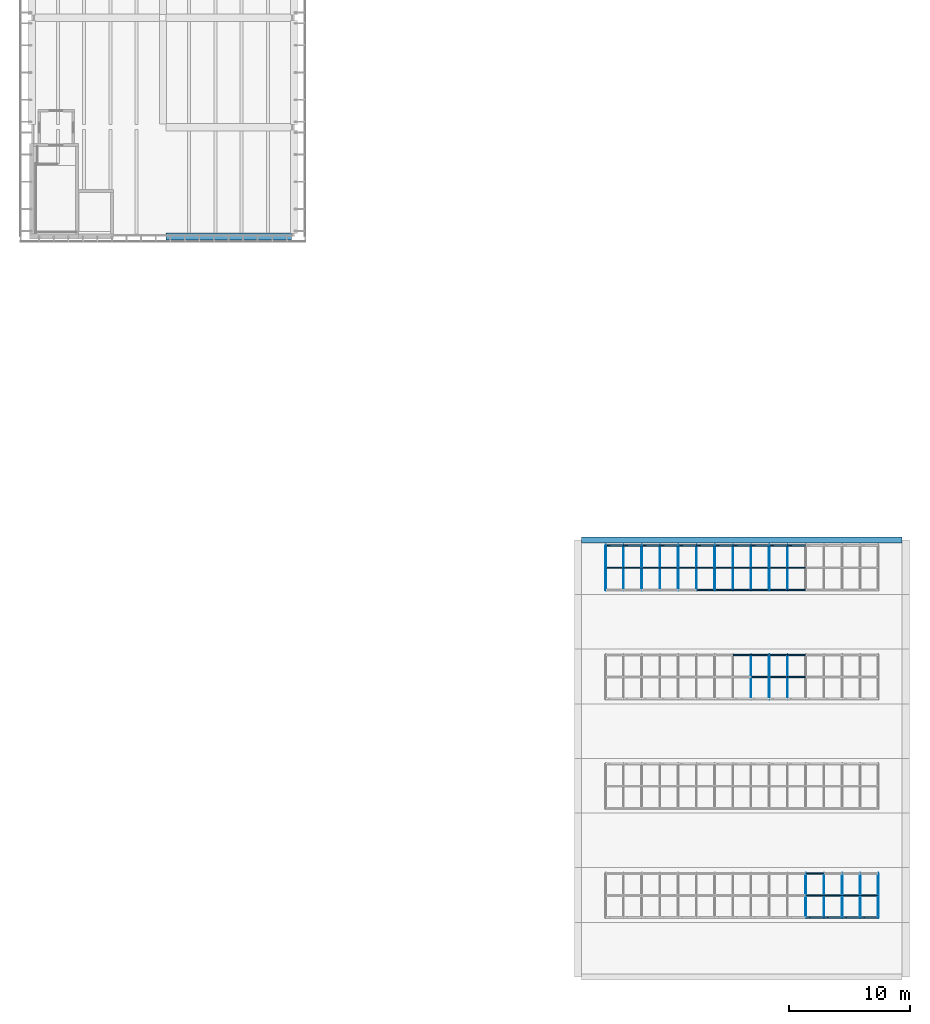
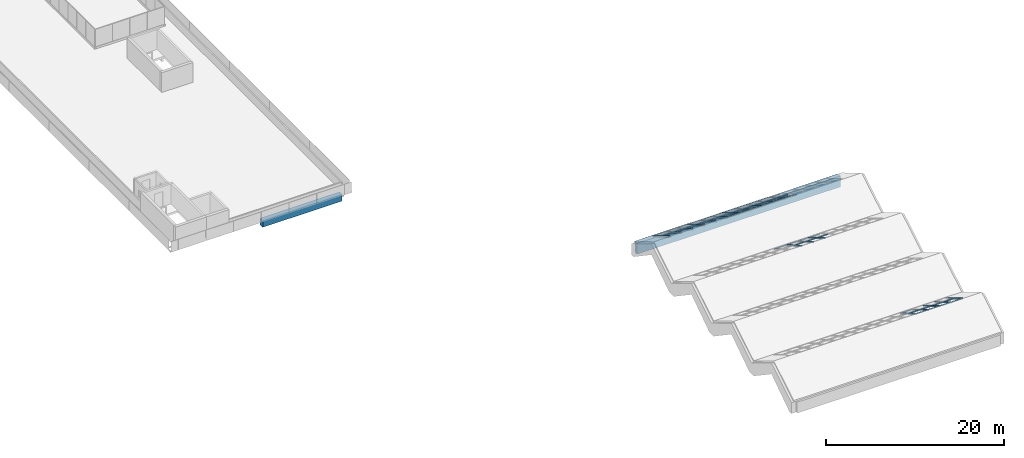
# One storey, part 4 of 29: 63 members, 2 beams, 3 elements without a shape of their own.
"""IFC4 building model written with IfcOpenShell, lengths in metres."""

from ifc_helpers import new_model, si_unit, direction, frame, origin, origin_2d, place, context, subcontext, project, spatial, rectangle, extrude, material, material_profile, profile_set, type_object, element, aggregate, save


model = new_model("IFC4")

# Units and contexts
model_context = context("Model", 3, precision=1e-05, world=origin(), true_north=direction((0.0, 1.0)))
body_context = subcontext(model_context, "Body", "Model", "MODEL_VIEW")
ifc_project = project(units=[si_unit("LENGTHUNIT", "METRE"), si_unit("AREAUNIT", "SQUARE_METRE"), si_unit("VOLUMEUNIT", "CUBIC_METRE"), si_unit("PLANEANGLEUNIT", "RADIAN"), si_unit("MASSUNIT", "GRAM", prefix="KILO")], contexts=[model_context])

# Site, building, storey
site_placement = place(None, origin())
site = spatial("IfcSite", under=ifc_project, at=site_placement, CompositionType="ELEMENT")
building_placement = place(site_placement, origin())
building = spatial("IfcBuilding", under=site, at=building_placement, Name="Merrow Basin Faculty of Sciences", CompositionType="ELEMENT")
storey_placement = place(building_placement, frame((0.0, 0.0, 22.5)))
storey = spatial("IfcBuildingStorey", under=building, at=storey_placement, Name="L05", CompositionType="ELEMENT", Elevation=22.5)

# Curtain wall, members
ifc_material_1 = material(Name="Aluminium alloy 6063", Category="aluminium")
curtain_wall_type = type_object("IfcCurtainWallType", Name="Inclined curtain wall 160", PredefinedType="NOTDEFINED", material=ifc_material_1)
curtain_wall_1_placement = place(storey_placement, origin())
curtain_wall_1 = element("IfcCurtainWall", 1, at=curtain_wall_1_placement, inside=storey, type_object=curtain_wall_type, Name="North-light glazing 1", PredefinedType="NOTDEFINED")
ifc_material_2 = material(Name="Aluminium alloy 6063", Category="aluminium")
ifc_material_profile_1 = material_profile(ifc_material_2, rectangle(XDim=0.06005859375, YDim=0.159912109375, at=origin_2d()))
ifc_profile_set_1 = profile_set([ifc_material_profile_1], Name="Aluminium alloy 6063")
member_type_1 = type_object("IfcMemberType", Name="Aluminium slot mullion 60x160", PredefinedType="MULLION", material=ifc_profile_set_1)
member_1_placement = place(storey_placement, frame((63.75, 4.85888671875, 2.39111328125), z_axis=(0.0, 0.857482941352, -0.514512395662), x_axis=(-1.0, 0.0, 0.0)))
member_1 = element("IfcMember", 2, at=member_1_placement, type_object=member_type_1, Name="CW7 mullion 12", PredefinedType="MULLION", context=body_context, shape_type="SweptSolid", body=[
    extrude(rectangle(XDim=0.06005859375, YDim=0.159912109375, at=origin_2d()), origin(), (0.0, 0.0, 1.0), 4.315185546875),
])
member_2_placement = place(storey_placement, frame((65.25, 4.85888671875, 2.39111328125), z_axis=(0.0, 0.857482941352, -0.514512395662), x_axis=(-1.0, 0.0, 0.0)))
member_2 = element("IfcMember", 3, at=member_2_placement, type_object=member_type_1, Name="CW7 mullion 13", PredefinedType="MULLION", context=body_context, shape_type="SweptSolid", body=[
    extrude(rectangle(XDim=0.06005859375, YDim=0.159912109375, at=origin_2d()), origin(), (0.0, 0.0, 1.0), 4.315185546875),
])
member_3_placement = place(storey_placement, frame((66.75, 4.85888671875, 2.39111328125), z_axis=(0.0, 0.857482941352, -0.514512395662), x_axis=(-1.0, 0.0, 0.0)))
member_3 = element("IfcMember", 4, at=member_3_placement, type_object=member_type_1, Name="CW7 mullion 14", PredefinedType="MULLION", context=body_context, shape_type="SweptSolid", body=[
    extrude(rectangle(XDim=0.06005859375, YDim=0.159912109375, at=origin_2d()), origin(), (0.0, 0.0, 1.0), 4.315185546875),
])
member_4_placement = place(storey_placement, frame((68.25, 4.85888671875, 2.39111328125), z_axis=(0.0, 0.857482941352, -0.514512395662), x_axis=(-1.0, 0.0, 0.0)))
member_4 = element("IfcMember", 5, at=member_4_placement, type_object=member_type_1, Name="CW7 mullion 15", PredefinedType="MULLION", context=body_context, shape_type="SweptSolid", body=[
    extrude(rectangle(XDim=0.06005859375, YDim=0.159912109375, at=origin_2d()), origin(), (0.0, 0.0, 1.0), 4.315185546875),
])
member_5_placement = place(storey_placement, frame((69.719970703125, 4.85888671875, 2.39111328125), z_axis=(0.0, 0.857482941352, -0.514512395662), x_axis=(-1.0, 0.0, 0.0)))
member_5 = element("IfcMember", 6, at=member_5_placement, type_object=member_type_1, Name="CW7 mullion 16", PredefinedType="MULLION", context=body_context, shape_type="SweptSolid", body=[
    extrude(rectangle(XDim=0.06005859375, YDim=0.159912109375, at=origin_2d()), origin(), (0.0, 0.0, 1.0), 4.315185546875),
])

curtain_wall_2_placement = place(storey_placement, origin())
curtain_wall_2 = element("IfcCurtainWall", 7, at=curtain_wall_2_placement, inside=storey, type_object=curtain_wall_type, Name="North-light glazing 5", PredefinedType="NOTDEFINED")
member_6_placement = place(storey_placement, frame((59.25, 22.85888671875, 2.39111328125), z_axis=(0.0, 0.857482941352, -0.514512395662), x_axis=(-1.0, 0.0, 0.0)))
member_6 = element("IfcMember", 8, at=member_6_placement, type_object=member_type_1, Name="CW7 mullion 9", PredefinedType="MULLION", context=body_context, shape_type="SweptSolid", body=[
    extrude(rectangle(XDim=0.06005859375, YDim=0.159912109375, at=origin_2d()), origin(), (0.0, 0.0, 1.0), 4.315185546875),
])
member_7_placement = place(storey_placement, frame((60.75, 22.85888671875, 2.39111328125), z_axis=(0.0, 0.857482941352, -0.514512395662), x_axis=(-1.0, 0.0, 0.0)))
member_7 = element("IfcMember", 9, at=member_7_placement, type_object=member_type_1, Name="CW7 mullion 10", PredefinedType="MULLION", context=body_context, shape_type="SweptSolid", body=[
    extrude(rectangle(XDim=0.06005859375, YDim=0.159912109375, at=origin_2d()), origin(), (0.0, 0.0, 1.0), 4.315185546875),
])
member_8_placement = place(storey_placement, frame((62.25, 22.85888671875, 2.39111328125), z_axis=(0.0, 0.857482941352, -0.514512395662), x_axis=(-1.0, 0.0, 0.0)))
member_8 = element("IfcMember", 10, at=member_8_placement, type_object=member_type_1, Name="CW7 mullion 11", PredefinedType="MULLION", context=body_context, shape_type="SweptSolid", body=[
    extrude(rectangle(XDim=0.06005859375, YDim=0.159912109375, at=origin_2d()), origin(), (0.0, 0.0, 1.0), 4.315185546875),
])

curtain_wall_3_placement = place(storey_placement, origin())
curtain_wall_3 = element("IfcCurtainWall", 11, at=curtain_wall_3_placement, inside=storey, type_object=curtain_wall_type, Name="North-light glazing 7", PredefinedType="NOTDEFINED")
member_9_placement = place(storey_placement, frame((47.280029296875, 31.85888671875, 2.39111328125), z_axis=(0.0, 0.857482941352, -0.514512395662), x_axis=(-1.0, 0.0, 0.0)))
member_9 = element("IfcMember", 12, at=member_9_placement, type_object=member_type_1, Name="CW7 mullion 1", PredefinedType="MULLION", context=body_context, shape_type="SweptSolid", body=[
    extrude(rectangle(XDim=0.06005859375, YDim=0.159912109375, at=origin_2d()), origin(), (0.0, 0.0, 1.0), 4.315185546875),
])
member_10_placement = place(storey_placement, frame((48.75, 31.85888671875, 2.39111328125), z_axis=(0.0, 0.857482941352, -0.514512395662), x_axis=(-1.0, 0.0, 0.0)))
member_10 = element("IfcMember", 13, at=member_10_placement, type_object=member_type_1, Name="CW7 mullion 2", PredefinedType="MULLION", context=body_context, shape_type="SweptSolid", body=[
    extrude(rectangle(XDim=0.06005859375, YDim=0.159912109375, at=origin_2d()), origin(), (0.0, 0.0, 1.0), 4.315185546875),
])
member_11_placement = place(storey_placement, frame((50.25, 31.85888671875, 2.39111328125), z_axis=(0.0, 0.857482941352, -0.514512395662), x_axis=(-1.0, 0.0, 0.0)))
member_11 = element("IfcMember", 14, at=member_11_placement, type_object=member_type_1, Name="CW7 mullion 3", PredefinedType="MULLION", context=body_context, shape_type="SweptSolid", body=[
    extrude(rectangle(XDim=0.06005859375, YDim=0.159912109375, at=origin_2d()), origin(), (0.0, 0.0, 1.0), 4.315185546875),
])
member_12_placement = place(storey_placement, frame((51.75, 31.85888671875, 2.39111328125), z_axis=(0.0, 0.857482941352, -0.514512395662), x_axis=(-1.0, 0.0, 0.0)))
member_12 = element("IfcMember", 15, at=member_12_placement, type_object=member_type_1, Name="CW7 mullion 4", PredefinedType="MULLION", context=body_context, shape_type="SweptSolid", body=[
    extrude(rectangle(XDim=0.06005859375, YDim=0.159912109375, at=origin_2d()), origin(), (0.0, 0.0, 1.0), 4.315185546875),
])
member_13_placement = place(storey_placement, frame((53.25, 31.85888671875, 2.39111328125), z_axis=(0.0, 0.857482941352, -0.514512395662), x_axis=(-1.0, 0.0, 0.0)))
member_13 = element("IfcMember", 16, at=member_13_placement, type_object=member_type_1, Name="CW7 mullion 5", PredefinedType="MULLION", context=body_context, shape_type="SweptSolid", body=[
    extrude(rectangle(XDim=0.06005859375, YDim=0.159912109375, at=origin_2d()), origin(), (0.0, 0.0, 1.0), 4.315185546875),
])
member_14_placement = place(storey_placement, frame((54.75, 31.85888671875, 2.39111328125), z_axis=(0.0, 0.857482941352, -0.514512395662), x_axis=(-1.0, 0.0, 0.0)))
member_14 = element("IfcMember", 17, at=member_14_placement, type_object=member_type_1, Name="CW7 mullion 6", PredefinedType="MULLION", context=body_context, shape_type="SweptSolid", body=[
    extrude(rectangle(XDim=0.06005859375, YDim=0.159912109375, at=origin_2d()), origin(), (0.0, 0.0, 1.0), 4.315185546875),
])
member_15_placement = place(storey_placement, frame((56.25, 31.85888671875, 2.39111328125), z_axis=(0.0, 0.857482941352, -0.514512395662), x_axis=(-1.0, 0.0, 0.0)))
member_15 = element("IfcMember", 18, at=member_15_placement, type_object=member_type_1, Name="CW7 mullion 7", PredefinedType="MULLION", context=body_context, shape_type="SweptSolid", body=[
    extrude(rectangle(XDim=0.06005859375, YDim=0.159912109375, at=origin_2d()), origin(), (0.0, 0.0, 1.0), 4.315185546875),
])
member_16_placement = place(storey_placement, frame((57.75, 31.85888671875, 2.39111328125), z_axis=(0.0, 0.857482941352, -0.514512395662), x_axis=(-1.0, 0.0, 0.0)))
member_16 = element("IfcMember", 19, at=member_16_placement, type_object=member_type_1, Name="CW7 mullion 8", PredefinedType="MULLION", context=body_context, shape_type="SweptSolid", body=[
    extrude(rectangle(XDim=0.06005859375, YDim=0.159912109375, at=origin_2d()), origin(), (0.0, 0.0, 1.0), 4.315185546875),
])
member_17_placement = place(storey_placement, frame((59.25, 31.85888671875, 2.39111328125), z_axis=(0.0, 0.857482941352, -0.514512395662), x_axis=(-1.0, 0.0, 0.0)))
member_17 = element("IfcMember", 20, at=member_17_placement, type_object=member_type_1, Name="CW7 mullion 9", PredefinedType="MULLION", context=body_context, shape_type="SweptSolid", body=[
    extrude(rectangle(XDim=0.06005859375, YDim=0.159912109375, at=origin_2d()), origin(), (0.0, 0.0, 1.0), 4.315185546875),
])
member_18_placement = place(storey_placement, frame((60.75, 31.85888671875, 2.39111328125), z_axis=(0.0, 0.857482941352, -0.514512395662), x_axis=(-1.0, 0.0, 0.0)))
member_18 = element("IfcMember", 21, at=member_18_placement, type_object=member_type_1, Name="CW7 mullion 10", PredefinedType="MULLION", context=body_context, shape_type="SweptSolid", body=[
    extrude(rectangle(XDim=0.06005859375, YDim=0.159912109375, at=origin_2d()), origin(), (0.0, 0.0, 1.0), 4.315185546875),
])
member_19_placement = place(storey_placement, frame((62.25, 31.85888671875, 2.39111328125), z_axis=(0.0, 0.857482941352, -0.514512395662), x_axis=(-1.0, 0.0, 0.0)))
member_19 = element("IfcMember", 22, at=member_19_placement, type_object=member_type_1, Name="CW7 mullion 11", PredefinedType="MULLION", context=body_context, shape_type="SweptSolid", body=[
    extrude(rectangle(XDim=0.06005859375, YDim=0.159912109375, at=origin_2d()), origin(), (0.0, 0.0, 1.0), 4.315185546875),
])

# Member
ifc_material_3 = material(Name="Aluminium alloy 6063", Category="aluminium")
ifc_material_profile_2 = material_profile(ifc_material_3, rectangle(XDim=0.06005859375, YDim=0.1201171875, at=origin_2d()))
ifc_profile_set_2 = profile_set([ifc_material_profile_2], Name="Aluminium alloy 6063")
member_type_2 = type_object("IfcMemberType", Name="Aluminium slot transom 60x120", PredefinedType="USERDEFINED", material=ifc_profile_set_2)
member_20_placement = place(storey_placement, frame((63.780029296875, 4.885009765625, 2.3759765625), z_axis=(1.0, 0.0, 0.0), x_axis=(0.0, 0.857492925713, -0.514495755426)))
member_20 = element("IfcMember", 23, at=member_20_placement, type_object=member_type_2, Name="CW7 transom 12.1", ObjectType="TRANSOM", PredefinedType="USERDEFINED", context=body_context, shape_type="SweptSolid", body=[
    extrude(rectangle(XDim=0.06005859375, YDim=0.1201171875, at=origin_2d()), origin(), (0.0, 0.0, 1.0), 1.43994140625),
])

member_21_placement = place(storey_placement, frame((63.780029296875, 6.708984375, 1.281005859375), z_axis=(1.0, 0.0, 0.0), x_axis=(0.0, 0.857492925713, -0.514495755426)))
member_21 = element("IfcMember", 24, at=member_21_placement, type_object=member_type_2, Name="CW7 transom 12.2", ObjectType="TRANSOM", PredefinedType="USERDEFINED", context=body_context, shape_type="SweptSolid", body=[
    extrude(rectangle(XDim=0.06005859375, YDim=0.1201171875, at=origin_2d()), origin(), (0.0, 0.0, 1.0), 1.43994140625),
])

member_22_placement = place(storey_placement, frame((63.780029296875, 8.532958984375, 0.18701171875), z_axis=(1.0, 0.0, 0.0), x_axis=(0.0, 0.857492925713, -0.514495755426)))
member_22 = element("IfcMember", 25, at=member_22_placement, type_object=member_type_2, Name="CW7 transom 12.3", ObjectType="TRANSOM", PredefinedType="USERDEFINED", context=body_context, shape_type="SweptSolid", body=[
    extrude(rectangle(XDim=0.06005859375, YDim=0.1201171875, at=origin_2d()), origin(), (0.0, 0.0, 1.0), 1.43994140625),
])

member_23_placement = place(storey_placement, frame((65.280029296875, 4.885009765625, 2.3759765625), z_axis=(1.0, 0.0, 0.0), x_axis=(0.0, 0.857492925713, -0.514495755426)))
member_23 = element("IfcMember", 26, at=member_23_placement, type_object=member_type_2, Name="CW7 transom 13.1", ObjectType="TRANSOM", PredefinedType="USERDEFINED", context=body_context, shape_type="SweptSolid", body=[
    extrude(rectangle(XDim=0.06005859375, YDim=0.1201171875, at=origin_2d()), origin(), (0.0, 0.0, 1.0), 1.43994140625),
])

member_24_placement = place(storey_placement, frame((65.280029296875, 6.708984375, 1.281005859375), z_axis=(1.0, 0.0, 0.0), x_axis=(0.0, 0.857492925713, -0.514495755426)))
member_24 = element("IfcMember", 27, at=member_24_placement, type_object=member_type_2, Name="CW7 transom 13.2", ObjectType="TRANSOM", PredefinedType="USERDEFINED", context=body_context, shape_type="SweptSolid", body=[
    extrude(rectangle(XDim=0.06005859375, YDim=0.1201171875, at=origin_2d()), origin(), (0.0, 0.0, 1.0), 1.43994140625),
])

member_25_placement = place(storey_placement, frame((66.780029296875, 4.885009765625, 2.3759765625), z_axis=(1.0, 0.0, 0.0), x_axis=(0.0, 0.857492925713, -0.514495755426)))
member_25 = element("IfcMember", 28, at=member_25_placement, type_object=member_type_2, Name="CW7 transom 14.1", ObjectType="TRANSOM", PredefinedType="USERDEFINED", context=body_context, shape_type="SweptSolid", body=[
    extrude(rectangle(XDim=0.06005859375, YDim=0.1201171875, at=origin_2d()), origin(), (0.0, 0.0, 1.0), 1.43994140625),
])

member_26_placement = place(storey_placement, frame((66.780029296875, 6.708984375, 1.281005859375), z_axis=(1.0, 0.0, 0.0), x_axis=(0.0, 0.857492925713, -0.514495755426)))
member_26 = element("IfcMember", 29, at=member_26_placement, type_object=member_type_2, Name="CW7 transom 14.2", ObjectType="TRANSOM", PredefinedType="USERDEFINED", context=body_context, shape_type="SweptSolid", body=[
    extrude(rectangle(XDim=0.06005859375, YDim=0.1201171875, at=origin_2d()), origin(), (0.0, 0.0, 1.0), 1.43994140625),
])

member_27_placement = place(storey_placement, frame((68.280029296875, 4.885009765625, 2.3759765625), z_axis=(1.0, 0.0, 0.0), x_axis=(0.0, 0.857492925713, -0.514495755426)))
member_27 = element("IfcMember", 30, at=member_27_placement, type_object=member_type_2, Name="CW7 transom 15.1", ObjectType="TRANSOM", PredefinedType="USERDEFINED", context=body_context, shape_type="SweptSolid", body=[
    extrude(rectangle(XDim=0.06005859375, YDim=0.1201171875, at=origin_2d()), origin(), (0.0, 0.0, 1.0), 1.409912109375),
])

member_28_placement = place(storey_placement, frame((68.280029296875, 6.708984375, 1.281005859375), z_axis=(1.0, 0.0, 0.0), x_axis=(0.0, 0.857492925713, -0.514495755426)))
member_28 = element("IfcMember", 31, at=member_28_placement, type_object=member_type_2, Name="CW7 transom 15.2", ObjectType="TRANSOM", PredefinedType="USERDEFINED", context=body_context, shape_type="SweptSolid", body=[
    extrude(rectangle(XDim=0.06005859375, YDim=0.1201171875, at=origin_2d()), origin(), (0.0, 0.0, 1.0), 1.409912109375),
])

aggregate(curtain_wall_1, [member_1, member_2, member_3, member_4, member_5, member_20, member_21, member_22, member_23, member_24, member_25, member_26, member_27, member_28])

member_29_placement = place(storey_placement, frame((57.780029296875, 26.532958984375, 0.18701171875), z_axis=(1.0, 0.0, 0.0), x_axis=(0.0, 0.857492925713, -0.514495755426)))
member_29 = element("IfcMember", 32, at=member_29_placement, type_object=member_type_2, Name="CW7 transom 8.3", ObjectType="TRANSOM", PredefinedType="USERDEFINED", context=body_context, shape_type="SweptSolid", body=[
    extrude(rectangle(XDim=0.06005859375, YDim=0.1201171875, at=origin_2d()), origin(), (0.0, 0.0, 1.0), 1.43994140625),
])

member_30_placement = place(storey_placement, frame((59.280029296875, 24.708984375, 1.281005859375), z_axis=(1.0, 0.0, 0.0), x_axis=(0.0, 0.857492925713, -0.514495755426)))
member_30 = element("IfcMember", 33, at=member_30_placement, type_object=member_type_2, Name="CW7 transom 9.2", ObjectType="TRANSOM", PredefinedType="USERDEFINED", context=body_context, shape_type="SweptSolid", body=[
    extrude(rectangle(XDim=0.06005859375, YDim=0.1201171875, at=origin_2d()), origin(), (0.0, 0.0, 1.0), 1.43994140625),
])

member_31_placement = place(storey_placement, frame((59.280029296875, 26.532958984375, 0.18701171875), z_axis=(1.0, 0.0, 0.0), x_axis=(0.0, 0.857492925713, -0.514495755426)))
member_31 = element("IfcMember", 34, at=member_31_placement, type_object=member_type_2, Name="CW7 transom 9.3", ObjectType="TRANSOM", PredefinedType="USERDEFINED", context=body_context, shape_type="SweptSolid", body=[
    extrude(rectangle(XDim=0.06005859375, YDim=0.1201171875, at=origin_2d()), origin(), (0.0, 0.0, 1.0), 1.43994140625),
])

member_32_placement = place(storey_placement, frame((60.780029296875, 24.708984375, 1.281005859375), z_axis=(1.0, 0.0, 0.0), x_axis=(0.0, 0.857492925713, -0.514495755426)))
member_32 = element("IfcMember", 35, at=member_32_placement, type_object=member_type_2, Name="CW7 transom 10.2", ObjectType="TRANSOM", PredefinedType="USERDEFINED", context=body_context, shape_type="SweptSolid", body=[
    extrude(rectangle(XDim=0.06005859375, YDim=0.1201171875, at=origin_2d()), origin(), (0.0, 0.0, 1.0), 1.43994140625),
])

member_33_placement = place(storey_placement, frame((60.780029296875, 26.532958984375, 0.18701171875), z_axis=(1.0, 0.0, 0.0), x_axis=(0.0, 0.857492925713, -0.514495755426)))
member_33 = element("IfcMember", 36, at=member_33_placement, type_object=member_type_2, Name="CW7 transom 10.3", ObjectType="TRANSOM", PredefinedType="USERDEFINED", context=body_context, shape_type="SweptSolid", body=[
    extrude(rectangle(XDim=0.06005859375, YDim=0.1201171875, at=origin_2d()), origin(), (0.0, 0.0, 1.0), 1.43994140625),
])

member_34_placement = place(storey_placement, frame((62.280029296875, 24.708984375, 1.281005859375), z_axis=(1.0, 0.0, 0.0), x_axis=(0.0, 0.857492925713, -0.514495755426)))
member_34 = element("IfcMember", 37, at=member_34_placement, type_object=member_type_2, Name="CW7 transom 11.2", ObjectType="TRANSOM", PredefinedType="USERDEFINED", context=body_context, shape_type="SweptSolid", body=[
    extrude(rectangle(XDim=0.06005859375, YDim=0.1201171875, at=origin_2d()), origin(), (0.0, 0.0, 1.0), 1.43994140625),
])

member_35_placement = place(storey_placement, frame((62.280029296875, 26.532958984375, 0.18701171875), z_axis=(1.0, 0.0, 0.0), x_axis=(0.0, 0.857492925713, -0.514495755426)))
member_35 = element("IfcMember", 38, at=member_35_placement, type_object=member_type_2, Name="CW7 transom 11.3", ObjectType="TRANSOM", PredefinedType="USERDEFINED", context=body_context, shape_type="SweptSolid", body=[
    extrude(rectangle(XDim=0.06005859375, YDim=0.1201171875, at=origin_2d()), origin(), (0.0, 0.0, 1.0), 1.43994140625),
])

aggregate(curtain_wall_2, [member_6, member_7, member_8, member_29, member_30, member_31, member_32, member_33, member_34, member_35])

member_36_placement = place(storey_placement, frame((47.31005859375, 33.708984375, 1.281005859375), z_axis=(1.0, 0.0, 0.0), x_axis=(0.0, 0.857492925713, -0.514495755426)))
member_36 = element("IfcMember", 39, at=member_36_placement, type_object=member_type_2, Name="CW7 transom 1.2", ObjectType="TRANSOM", PredefinedType="USERDEFINED", context=body_context, shape_type="SweptSolid", body=[
    extrude(rectangle(XDim=0.06005859375, YDim=0.1201171875, at=origin_2d()), origin(), (0.0, 0.0, 1.0), 1.409912109375),
])

member_37_placement = place(storey_placement, frame((47.31005859375, 35.532958984375, 0.18701171875), z_axis=(1.0, 0.0, 0.0), x_axis=(0.0, 0.857492925713, -0.514495755426)))
member_37 = element("IfcMember", 40, at=member_37_placement, type_object=member_type_2, Name="CW7 transom 1.3", ObjectType="TRANSOM", PredefinedType="USERDEFINED", context=body_context, shape_type="SweptSolid", body=[
    extrude(rectangle(XDim=0.06005859375, YDim=0.1201171875, at=origin_2d()), origin(), (0.0, 0.0, 1.0), 1.409912109375),
])

member_38_placement = place(storey_placement, frame((48.780029296875, 33.708984375, 1.281005859375), z_axis=(1.0, 0.0, 0.0), x_axis=(0.0, 0.857492925713, -0.514495755426)))
member_38 = element("IfcMember", 41, at=member_38_placement, type_object=member_type_2, Name="CW7 transom 2.2", ObjectType="TRANSOM", PredefinedType="USERDEFINED", context=body_context, shape_type="SweptSolid", body=[
    extrude(rectangle(XDim=0.06005859375, YDim=0.1201171875, at=origin_2d()), origin(), (0.0, 0.0, 1.0), 1.43994140625),
])

member_39_placement = place(storey_placement, frame((48.780029296875, 35.532958984375, 0.18701171875), z_axis=(1.0, 0.0, 0.0), x_axis=(0.0, 0.857492925713, -0.514495755426)))
member_39 = element("IfcMember", 42, at=member_39_placement, type_object=member_type_2, Name="CW7 transom 2.3", ObjectType="TRANSOM", PredefinedType="USERDEFINED", context=body_context, shape_type="SweptSolid", body=[
    extrude(rectangle(XDim=0.06005859375, YDim=0.1201171875, at=origin_2d()), origin(), (0.0, 0.0, 1.0), 1.43994140625),
])

member_40_placement = place(storey_placement, frame((50.280029296875, 33.708984375, 1.281005859375), z_axis=(1.0, 0.0, 0.0), x_axis=(0.0, 0.857492925713, -0.514495755426)))
member_40 = element("IfcMember", 43, at=member_40_placement, type_object=member_type_2, Name="CW7 transom 3.2", ObjectType="TRANSOM", PredefinedType="USERDEFINED", context=body_context, shape_type="SweptSolid", body=[
    extrude(rectangle(XDim=0.06005859375, YDim=0.1201171875, at=origin_2d()), origin(), (0.0, 0.0, 1.0), 1.43994140625),
])

member_41_placement = place(storey_placement, frame((50.280029296875, 35.532958984375, 0.18701171875), z_axis=(1.0, 0.0, 0.0), x_axis=(0.0, 0.857492925713, -0.514495755426)))
member_41 = element("IfcMember", 44, at=member_41_placement, type_object=member_type_2, Name="CW7 transom 3.3", ObjectType="TRANSOM", PredefinedType="USERDEFINED", context=body_context, shape_type="SweptSolid", body=[
    extrude(rectangle(XDim=0.06005859375, YDim=0.1201171875, at=origin_2d()), origin(), (0.0, 0.0, 1.0), 1.43994140625),
])

member_42_placement = place(storey_placement, frame((51.780029296875, 33.708984375, 1.281005859375), z_axis=(1.0, 0.0, 0.0), x_axis=(0.0, 0.857492925713, -0.514495755426)))
member_42 = element("IfcMember", 45, at=member_42_placement, type_object=member_type_2, Name="CW7 transom 4.2", ObjectType="TRANSOM", PredefinedType="USERDEFINED", context=body_context, shape_type="SweptSolid", body=[
    extrude(rectangle(XDim=0.06005859375, YDim=0.1201171875, at=origin_2d()), origin(), (0.0, 0.0, 1.0), 1.43994140625),
])

member_43_placement = place(storey_placement, frame((51.780029296875, 35.532958984375, 0.18701171875), z_axis=(1.0, 0.0, 0.0), x_axis=(0.0, 0.857492925713, -0.514495755426)))
member_43 = element("IfcMember", 46, at=member_43_placement, type_object=member_type_2, Name="CW7 transom 4.3", ObjectType="TRANSOM", PredefinedType="USERDEFINED", context=body_context, shape_type="SweptSolid", body=[
    extrude(rectangle(XDim=0.06005859375, YDim=0.1201171875, at=origin_2d()), origin(), (0.0, 0.0, 1.0), 1.43994140625),
])

member_44_placement = place(storey_placement, frame((53.280029296875, 33.708984375, 1.281005859375), z_axis=(1.0, 0.0, 0.0), x_axis=(0.0, 0.857492925713, -0.514495755426)))
member_44 = element("IfcMember", 47, at=member_44_placement, type_object=member_type_2, Name="CW7 transom 5.2", ObjectType="TRANSOM", PredefinedType="USERDEFINED", context=body_context, shape_type="SweptSolid", body=[
    extrude(rectangle(XDim=0.06005859375, YDim=0.1201171875, at=origin_2d()), origin(), (0.0, 0.0, 1.0), 1.43994140625),
])

member_45_placement = place(storey_placement, frame((53.280029296875, 35.532958984375, 0.18701171875), z_axis=(1.0, 0.0, 0.0), x_axis=(0.0, 0.857492925713, -0.514495755426)))
member_45 = element("IfcMember", 48, at=member_45_placement, type_object=member_type_2, Name="CW7 transom 5.3", ObjectType="TRANSOM", PredefinedType="USERDEFINED", context=body_context, shape_type="SweptSolid", body=[
    extrude(rectangle(XDim=0.06005859375, YDim=0.1201171875, at=origin_2d()), origin(), (0.0, 0.0, 1.0), 1.43994140625),
])

member_46_placement = place(storey_placement, frame((54.780029296875, 31.885009765625, 2.3759765625), z_axis=(1.0, 0.0, 0.0), x_axis=(0.0, 0.857492925713, -0.514495755426)))
member_46 = element("IfcMember", 49, at=member_46_placement, type_object=member_type_2, Name="CW7 transom 6.1", ObjectType="TRANSOM", PredefinedType="USERDEFINED", context=body_context, shape_type="SweptSolid", body=[
    extrude(rectangle(XDim=0.06005859375, YDim=0.1201171875, at=origin_2d()), origin(), (0.0, 0.0, 1.0), 1.43994140625),
])

member_47_placement = place(storey_placement, frame((54.780029296875, 33.708984375, 1.281005859375), z_axis=(1.0, 0.0, 0.0), x_axis=(0.0, 0.857492925713, -0.514495755426)))
member_47 = element("IfcMember", 50, at=member_47_placement, type_object=member_type_2, Name="CW7 transom 6.2", ObjectType="TRANSOM", PredefinedType="USERDEFINED", context=body_context, shape_type="SweptSolid", body=[
    extrude(rectangle(XDim=0.06005859375, YDim=0.1201171875, at=origin_2d()), origin(), (0.0, 0.0, 1.0), 1.43994140625),
])

member_48_placement = place(storey_placement, frame((54.780029296875, 35.532958984375, 0.18701171875), z_axis=(1.0, 0.0, 0.0), x_axis=(0.0, 0.857492925713, -0.514495755426)))
member_48 = element("IfcMember", 51, at=member_48_placement, type_object=member_type_2, Name="CW7 transom 6.3", ObjectType="TRANSOM", PredefinedType="USERDEFINED", context=body_context, shape_type="SweptSolid", body=[
    extrude(rectangle(XDim=0.06005859375, YDim=0.1201171875, at=origin_2d()), origin(), (0.0, 0.0, 1.0), 1.43994140625),
])

member_49_placement = place(storey_placement, frame((56.280029296875, 31.885009765625, 2.3759765625), z_axis=(1.0, 0.0, 0.0), x_axis=(0.0, 0.857492925713, -0.514495755426)))
member_49 = element("IfcMember", 52, at=member_49_placement, type_object=member_type_2, Name="CW7 transom 7.1", ObjectType="TRANSOM", PredefinedType="USERDEFINED", context=body_context, shape_type="SweptSolid", body=[
    extrude(rectangle(XDim=0.06005859375, YDim=0.1201171875, at=origin_2d()), origin(), (0.0, 0.0, 1.0), 1.43994140625),
])

member_50_placement = place(storey_placement, frame((56.280029296875, 33.708984375, 1.281005859375), z_axis=(1.0, 0.0, 0.0), x_axis=(0.0, 0.857492925713, -0.514495755426)))
member_50 = element("IfcMember", 53, at=member_50_placement, type_object=member_type_2, Name="CW7 transom 7.2", ObjectType="TRANSOM", PredefinedType="USERDEFINED", context=body_context, shape_type="SweptSolid", body=[
    extrude(rectangle(XDim=0.06005859375, YDim=0.1201171875, at=origin_2d()), origin(), (0.0, 0.0, 1.0), 1.43994140625),
])

member_51_placement = place(storey_placement, frame((56.280029296875, 35.532958984375, 0.18701171875), z_axis=(1.0, 0.0, 0.0), x_axis=(0.0, 0.857492925713, -0.514495755426)))
member_51 = element("IfcMember", 54, at=member_51_placement, type_object=member_type_2, Name="CW7 transom 7.3", ObjectType="TRANSOM", PredefinedType="USERDEFINED", context=body_context, shape_type="SweptSolid", body=[
    extrude(rectangle(XDim=0.06005859375, YDim=0.1201171875, at=origin_2d()), origin(), (0.0, 0.0, 1.0), 1.43994140625),
])

member_52_placement = place(storey_placement, frame((57.780029296875, 31.885009765625, 2.3759765625), z_axis=(1.0, 0.0, 0.0), x_axis=(0.0, 0.857492925713, -0.514495755426)))
member_52 = element("IfcMember", 55, at=member_52_placement, type_object=member_type_2, Name="CW7 transom 8.1", ObjectType="TRANSOM", PredefinedType="USERDEFINED", context=body_context, shape_type="SweptSolid", body=[
    extrude(rectangle(XDim=0.06005859375, YDim=0.1201171875, at=origin_2d()), origin(), (0.0, 0.0, 1.0), 1.43994140625),
])

member_53_placement = place(storey_placement, frame((57.780029296875, 33.708984375, 1.281005859375), z_axis=(1.0, 0.0, 0.0), x_axis=(0.0, 0.857492925713, -0.514495755426)))
member_53 = element("IfcMember", 56, at=member_53_placement, type_object=member_type_2, Name="CW7 transom 8.2", ObjectType="TRANSOM", PredefinedType="USERDEFINED", context=body_context, shape_type="SweptSolid", body=[
    extrude(rectangle(XDim=0.06005859375, YDim=0.1201171875, at=origin_2d()), origin(), (0.0, 0.0, 1.0), 1.43994140625),
])

member_54_placement = place(storey_placement, frame((57.780029296875, 35.532958984375, 0.18701171875), z_axis=(1.0, 0.0, 0.0), x_axis=(0.0, 0.857492925713, -0.514495755426)))
member_54 = element("IfcMember", 57, at=member_54_placement, type_object=member_type_2, Name="CW7 transom 8.3", ObjectType="TRANSOM", PredefinedType="USERDEFINED", context=body_context, shape_type="SweptSolid", body=[
    extrude(rectangle(XDim=0.06005859375, YDim=0.1201171875, at=origin_2d()), origin(), (0.0, 0.0, 1.0), 1.43994140625),
])

member_55_placement = place(storey_placement, frame((59.280029296875, 31.885009765625, 2.3759765625), z_axis=(1.0, 0.0, 0.0), x_axis=(0.0, 0.857492925713, -0.514495755426)))
member_55 = element("IfcMember", 58, at=member_55_placement, type_object=member_type_2, Name="CW7 transom 9.1", ObjectType="TRANSOM", PredefinedType="USERDEFINED", context=body_context, shape_type="SweptSolid", body=[
    extrude(rectangle(XDim=0.06005859375, YDim=0.1201171875, at=origin_2d()), origin(), (0.0, 0.0, 1.0), 1.43994140625),
])

member_56_placement = place(storey_placement, frame((59.280029296875, 33.708984375, 1.281005859375), z_axis=(1.0, 0.0, 0.0), x_axis=(0.0, 0.857492925713, -0.514495755426)))
member_56 = element("IfcMember", 59, at=member_56_placement, type_object=member_type_2, Name="CW7 transom 9.2", ObjectType="TRANSOM", PredefinedType="USERDEFINED", context=body_context, shape_type="SweptSolid", body=[
    extrude(rectangle(XDim=0.06005859375, YDim=0.1201171875, at=origin_2d()), origin(), (0.0, 0.0, 1.0), 1.43994140625),
])

member_57_placement = place(storey_placement, frame((59.280029296875, 35.532958984375, 0.18701171875), z_axis=(1.0, 0.0, 0.0), x_axis=(0.0, 0.857492925713, -0.514495755426)))
member_57 = element("IfcMember", 60, at=member_57_placement, type_object=member_type_2, Name="CW7 transom 9.3", ObjectType="TRANSOM", PredefinedType="USERDEFINED", context=body_context, shape_type="SweptSolid", body=[
    extrude(rectangle(XDim=0.06005859375, YDim=0.1201171875, at=origin_2d()), origin(), (0.0, 0.0, 1.0), 1.43994140625),
])

member_58_placement = place(storey_placement, frame((60.780029296875, 31.885009765625, 2.3759765625), z_axis=(1.0, 0.0, 0.0), x_axis=(0.0, 0.857492925713, -0.514495755426)))
member_58 = element("IfcMember", 61, at=member_58_placement, type_object=member_type_2, Name="CW7 transom 10.1", ObjectType="TRANSOM", PredefinedType="USERDEFINED", context=body_context, shape_type="SweptSolid", body=[
    extrude(rectangle(XDim=0.06005859375, YDim=0.1201171875, at=origin_2d()), origin(), (0.0, 0.0, 1.0), 1.43994140625),
])

member_59_placement = place(storey_placement, frame((60.780029296875, 33.708984375, 1.281005859375), z_axis=(1.0, 0.0, 0.0), x_axis=(0.0, 0.857492925713, -0.514495755426)))
member_59 = element("IfcMember", 62, at=member_59_placement, type_object=member_type_2, Name="CW7 transom 10.2", ObjectType="TRANSOM", PredefinedType="USERDEFINED", context=body_context, shape_type="SweptSolid", body=[
    extrude(rectangle(XDim=0.06005859375, YDim=0.1201171875, at=origin_2d()), origin(), (0.0, 0.0, 1.0), 1.43994140625),
])

member_60_placement = place(storey_placement, frame((60.780029296875, 35.532958984375, 0.18701171875), z_axis=(1.0, 0.0, 0.0), x_axis=(0.0, 0.857492925713, -0.514495755426)))
member_60 = element("IfcMember", 63, at=member_60_placement, type_object=member_type_2, Name="CW7 transom 10.3", ObjectType="TRANSOM", PredefinedType="USERDEFINED", context=body_context, shape_type="SweptSolid", body=[
    extrude(rectangle(XDim=0.06005859375, YDim=0.1201171875, at=origin_2d()), origin(), (0.0, 0.0, 1.0), 1.43994140625),
])

member_61_placement = place(storey_placement, frame((62.280029296875, 31.885009765625, 2.3759765625), z_axis=(1.0, 0.0, 0.0), x_axis=(0.0, 0.857492925713, -0.514495755426)))
member_61 = element("IfcMember", 64, at=member_61_placement, type_object=member_type_2, Name="CW7 transom 11.1", ObjectType="TRANSOM", PredefinedType="USERDEFINED", context=body_context, shape_type="SweptSolid", body=[
    extrude(rectangle(XDim=0.06005859375, YDim=0.1201171875, at=origin_2d()), origin(), (0.0, 0.0, 1.0), 1.43994140625),
])

member_62_placement = place(storey_placement, frame((62.280029296875, 33.708984375, 1.281005859375), z_axis=(1.0, 0.0, 0.0), x_axis=(0.0, 0.857492925713, -0.514495755426)))
member_62 = element("IfcMember", 65, at=member_62_placement, type_object=member_type_2, Name="CW7 transom 11.2", ObjectType="TRANSOM", PredefinedType="USERDEFINED", context=body_context, shape_type="SweptSolid", body=[
    extrude(rectangle(XDim=0.06005859375, YDim=0.1201171875, at=origin_2d()), origin(), (0.0, 0.0, 1.0), 1.43994140625),
])

member_63_placement = place(storey_placement, frame((62.280029296875, 35.532958984375, 0.18701171875), z_axis=(1.0, 0.0, 0.0), x_axis=(0.0, 0.857492925713, -0.514495755426)))
member_63 = element("IfcMember", 66, at=member_63_placement, type_object=member_type_2, Name="CW7 transom 11.3", ObjectType="TRANSOM", PredefinedType="USERDEFINED", context=body_context, shape_type="SweptSolid", body=[
    extrude(rectangle(XDim=0.06005859375, YDim=0.1201171875, at=origin_2d()), origin(), (0.0, 0.0, 1.0), 1.43994140625),
])

aggregate(curtain_wall_3, [member_9, member_10, member_11, member_12, member_13, member_14, member_15, member_16, member_17, member_18, member_19, member_36, member_37, member_38, member_39, member_40, member_41, member_42, member_43, member_44, member_45, member_46, member_47, member_48, member_49, member_50, member_51, member_52, member_53, member_54, member_55, member_56, member_57, member_58, member_59, member_60, member_61, member_62, member_63])

# Beams
ifc_material_4 = material(Name="Concrete C40/50", Category="concrete")
ifc_material_profile_3 = material_profile(ifc_material_4, rectangle(XDim=0.60009765625, YDim=0.89990234375, at=origin_2d()))
ifc_profile_set_3 = profile_set([ifc_material_profile_3], Name="Concrete C40/50")
beam_type_1 = type_object("IfcBeamType", Name="Beam RC600x900 C40/50", PredefinedType="BEAM", material=ifc_profile_set_3)
beam_1_placement = place(storey_placement, frame((11.074951171875, 61.0, -0.699951171875), z_axis=(1.0, 0.0, 0.0), x_axis=(0.0, 1.0, 0.0)))
element("IfcBeam", 67, at=beam_1_placement, inside=storey, type_object=beam_type_1, Name="B1 L05 001", PredefinedType="BEAM", context=body_context, shape_type="SweptSolid", body=[
    extrude(rectangle(XDim=0.60009765625, YDim=0.89990234375, at=origin_2d()), origin(), (0.0, 0.0, 1.0), 10.300048828125),
])
ifc_material_5 = material(Name="Concrete C50/60", Category="concrete")
ifc_material_profile_4 = material_profile(ifc_material_5, rectangle(XDim=0.5, YDim=1.5, at=origin_2d()))
ifc_profile_set_4 = profile_set([ifc_material_profile_4], Name="Concrete C50/60")
beam_type_2 = type_object("IfcBeamType", Name="Fold edge beam RC500x1500 C50/60", PredefinedType="BEAM", material=ifc_profile_set_4)
beam_2_placement = place(storey_placement, frame((45.300048828125, 36.0, -0.93701171875), z_axis=(1.0, 0.0, 0.0), x_axis=(0.0, 1.0, 0.0)))
element("IfcBeam", 68, at=beam_2_placement, inside=storey, type_object=beam_type_2, Name="FE1 L05 002", PredefinedType="BEAM", context=body_context, shape_type="SweptSolid", body=[
    extrude(rectangle(XDim=0.5, YDim=1.5, at=origin_2d()), origin(), (0.0, 0.0, 1.0), 26.39990234375),
])

save(model, "model.ifc")
